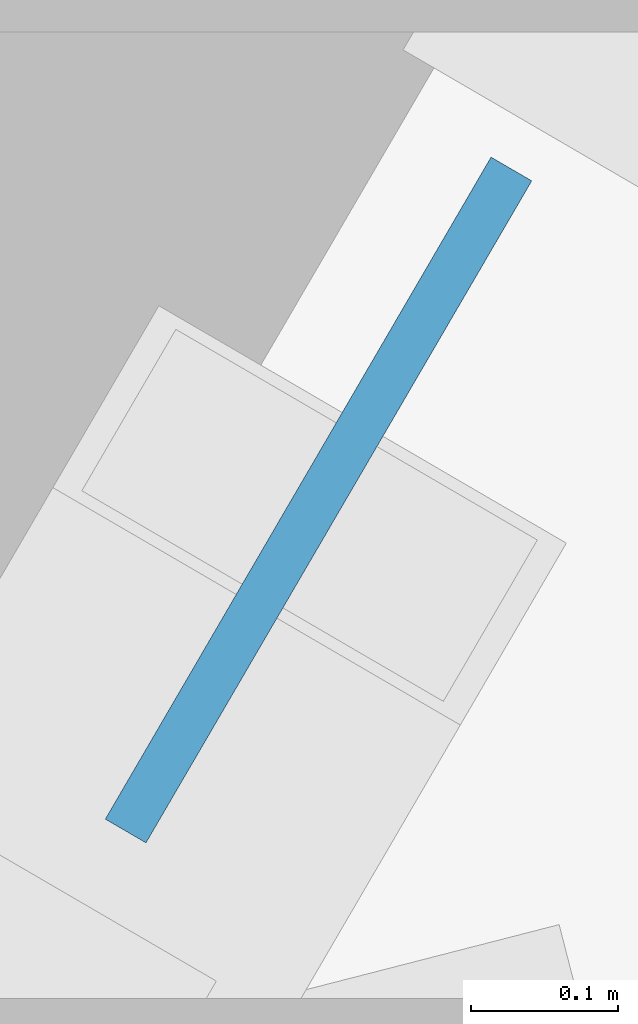
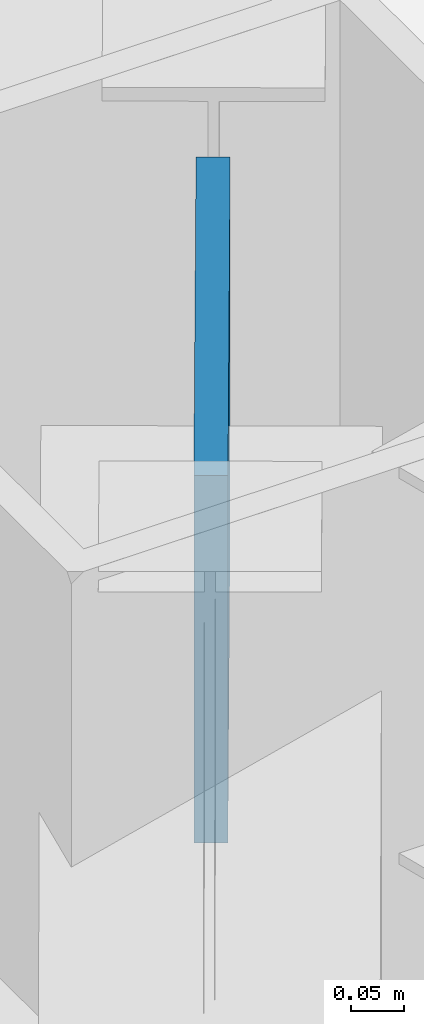
# One storey, part 5 of 12: 1 plate.
"""IFC4 building model written with IfcOpenShell, lengths in metres."""

from ifc_helpers import new_model, si_unit, direction, frame, origin, origin_2d, place, context, subcontext, project, spatial, rectangle, extrude, material, layer, layer_set, type_object, element, save


model = new_model("IFC4")

# Units and contexts
model_context = context("Model", 3, precision=1e-05, world=origin(), true_north=direction((0.0, 1.0)))
body_context = subcontext(model_context, "Body", "Model", "MODEL_VIEW")
ifc_project = project(units=[si_unit("LENGTHUNIT", "METRE"), si_unit("AREAUNIT", "SQUARE_METRE"), si_unit("VOLUMEUNIT", "CUBIC_METRE"), si_unit("PLANEANGLEUNIT", "RADIAN"), si_unit("MASSUNIT", "GRAM", prefix="KILO")], contexts=[model_context])

# Site, building, storey
site_placement = place(None, origin())
site = spatial("IfcSite", under=ifc_project, at=site_placement, CompositionType="ELEMENT")
building_placement = place(site_placement, origin())
building = spatial("IfcBuilding", under=site, at=building_placement, Name="Kavelnor Concourse Tower", CompositionType="ELEMENT")
storey_placement = place(building_placement, frame((0.0, 0.0, 147.10009765625)))
storey = spatial("IfcBuildingStorey", under=building, at=storey_placement, Name="L37", CompositionType="ELEMENT", Elevation=147.10009765625)

# Plate
ifc_material = material(Name="Steel Grade 350", Category="steel")
ifc_layer = layer(ifc_material, 0.031982421875, Name="Steel Grade 350")
ifc_layer_set = layer_set([ifc_layer], Name="Steel Grade 350")
plate_type = type_object("IfcPlateType", Name="PL-GUSSET-TUBE-Z1", PredefinedType="USERDEFINED", material=ifc_layer_set)
plate_placement = place(storey_placement, frame((26.2958984375, 33.734619140625, 3.12353515625), z_axis=(0.0, 0.0, 1.0), x_axis=(0.503472410885, 0.864011302865, 0.0)))
element("IfcPlate", 1, at=plate_placement, inside=storey, type_object=plate_type, Name="L37 Tube Brace Gusset GP3 F0-B2 End Gusset B", ObjectType="GUSSET_PLATE", PredefinedType="USERDEFINED", context=body_context, shape_type="SweptSolid", body=[
    extrude(rectangle(XDim=0.52001953125, YDim=0.031982421875, at=origin_2d()), origin(), (0.0, 0.0, 1.0), 0.419921875),
])

save(model, "model.ifc")
